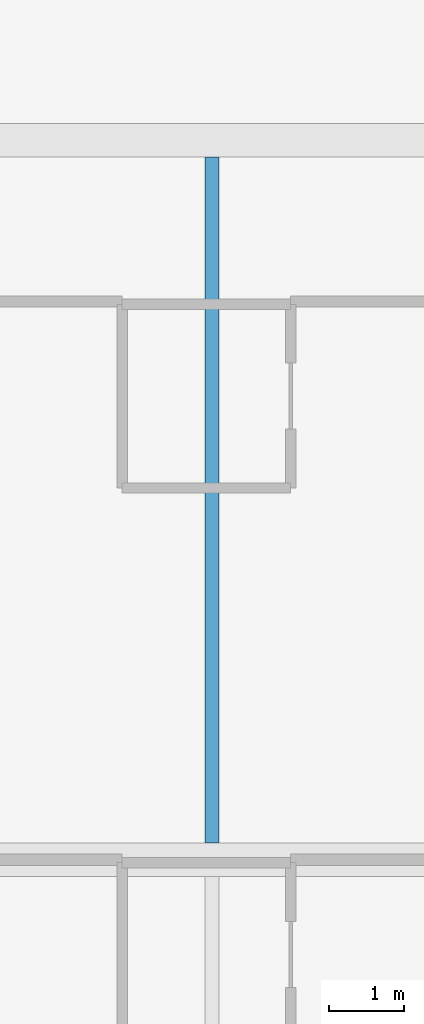
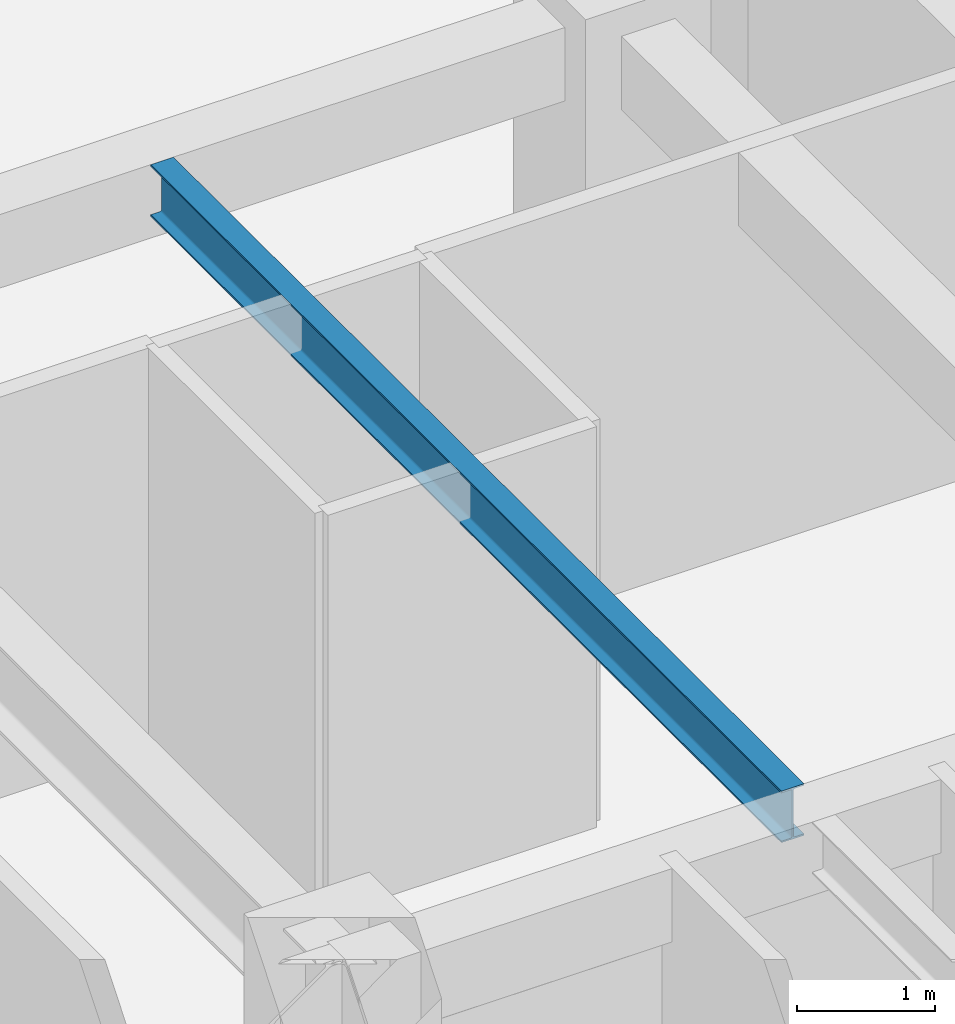
# One storey, part 2 of 11: 1 beam.
"""IFC4 building model written with IfcOpenShell, lengths in metres."""

from ifc_helpers import new_model, si_unit, direction, frame, origin, origin_2d, place, context, subcontext, project, spatial, i_section, extrude, material, material_profile, profile_set, type_object, element, save


model = new_model("IFC4")

# Units and contexts
model_context = context("Model", 3, precision=1e-05, world=origin(), true_north=direction((0.0, 1.0)))
body_context = subcontext(model_context, "Body", "Model", "MODEL_VIEW")
ifc_project = project(units=[si_unit("LENGTHUNIT", "METRE"), si_unit("AREAUNIT", "SQUARE_METRE"), si_unit("VOLUMEUNIT", "CUBIC_METRE"), si_unit("PLANEANGLEUNIT", "RADIAN"), si_unit("MASSUNIT", "GRAM", prefix="KILO")], contexts=[model_context])

# Site, building, storey
site_placement = place(None, origin())
site = spatial("IfcSite", under=ifc_project, at=site_placement, CompositionType="ELEMENT")
building_placement = place(site_placement, origin())
building = spatial("IfcBuilding", under=site, at=building_placement, Name="Kestravale Grand Hotel", CompositionType="ELEMENT")
storey_placement = place(building_placement, frame((0.0, 0.0, 134.60009765625)))
storey = spatial("IfcBuildingStorey", under=building, at=storey_placement, Name="L33", CompositionType="ELEMENT", Elevation=134.60009765625)

# Beam
ifc_material = material(Name="Steel ASTM A992 Grade 50", Category="steel")
ifc_material_profile = material_profile(ifc_material, i_section(OverallWidth=0.19091796875, OverallDepth=0.45703125, WebThickness=0.009033203125, FlangeThickness=0.014404296875, FilletRadius=0.015380859375, at=origin_2d()))
ifc_profile_set = profile_set([ifc_material_profile], Name="Steel ASTM A992 Grade 50")
beam_type = type_object("IfcBeamType", Name="B-FLR-JST18", PredefinedType="JOIST", material=ifc_profile_set)
beam_placement = place(storey_placement, frame((66.300048828125, 29.02490234375, 3.3212890625), z_axis=(0.0, 1.0, 0.0), x_axis=(-1.0, 0.0, 0.0)))
element("IfcBeam", 1, at=beam_placement, inside=storey, type_object=beam_type, Name="L33 floor joist 10-11/E-F #1", PredefinedType="JOIST", context=body_context, shape_type="SweptSolid", body=[
    extrude(i_section(OverallWidth=0.19091796875, OverallDepth=0.45703125, WebThickness=0.009033203125, FlangeThickness=0.014404296875, FilletRadius=0.015380859375, at=origin_2d()), origin(), (0.0, 0.0, 1.0), 9.150146484375),
])

save(model, "model.ifc")
